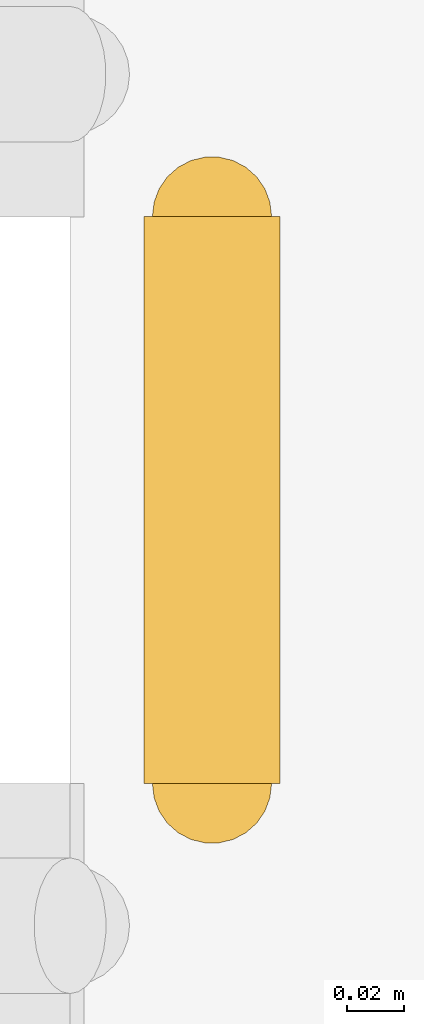
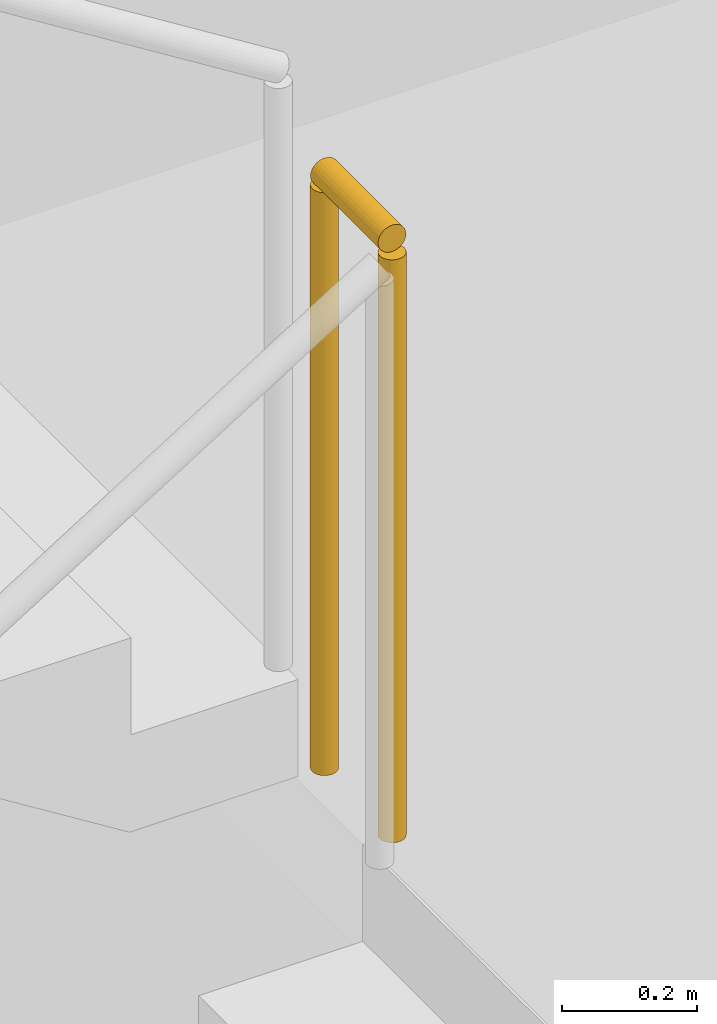
# One storey, part 27 of 28: 1 railing.
"""IFC4 building model written with IfcOpenShell, lengths in metres."""

from ifc_helpers import new_model, si_unit, direction, frame, origin, origin_2d, place, context, subcontext, project, spatial, circle, extrude, material, type_object, element, save


model = new_model("IFC4")

# Units and contexts
model_context = context("Model", 3, precision=1e-05, world=origin(), true_north=direction((0.0, 1.0)))
body_context = subcontext(model_context, "Body", "Model", "MODEL_VIEW")
ifc_project = project(units=[si_unit("LENGTHUNIT", "METRE"), si_unit("AREAUNIT", "SQUARE_METRE"), si_unit("VOLUMEUNIT", "CUBIC_METRE"), si_unit("PLANEANGLEUNIT", "RADIAN"), si_unit("MASSUNIT", "GRAM", prefix="KILO")], contexts=[model_context])

# Site, building, storey
site_placement = place(None, origin())
site = spatial("IfcSite", under=ifc_project, at=site_placement, CompositionType="ELEMENT")
building_placement = place(site_placement, origin())
building = spatial("IfcBuilding", under=site, at=building_placement, Name="Fikremerkos Civic Library", CompositionType="ELEMENT")
storey_placement = place(building_placement, frame((0.0, 0.0, -4.199951171875)))
storey = spatial("IfcBuildingStorey", under=building, at=storey_placement, Name="B01", CompositionType="ELEMENT", Elevation=-4.199951171875)

# Railing
ifc_material = material(Name="Painted Steel S275", Category="steel")
railing_type = type_object("IfcRailingType", Name="Interior balustrade guard RLG-INT 1100", PredefinedType="BALUSTRADE", material=ifc_material)
railing_placement = place(storey_placement, frame((130.280029296875, 14.35009765625, 2.099853515625)))
element("IfcRailing", 1, at=railing_placement, inside=storey, type_object=railing_type, Name="B01 ST-K4 stair guard 2", PredefinedType="BALUSTRADE", context=body_context, shape_type="SweptSolid", body=[
    extrude(circle(Radius=0.02392578125, at=origin_2d()), frame((0.0, 0.0, 1.076171875), z_axis=(0.0, 1.0, 0.0), x_axis=(-1.0, 0.0, 0.0)), (0.0, 0.0, 1.0), 0.199951171875),
    extrude(circle(Radius=0.02099609375, at=origin_2d()), origin(), (0.0, 0.0, 1.0), 1.052001953125),
    extrude(circle(Radius=0.02099609375, at=origin_2d()), frame((0.0, 0.199951171875, 0.0)), (0.0, 0.0, 1.0), 1.052001953125),
])

save(model, "model.ifc")
